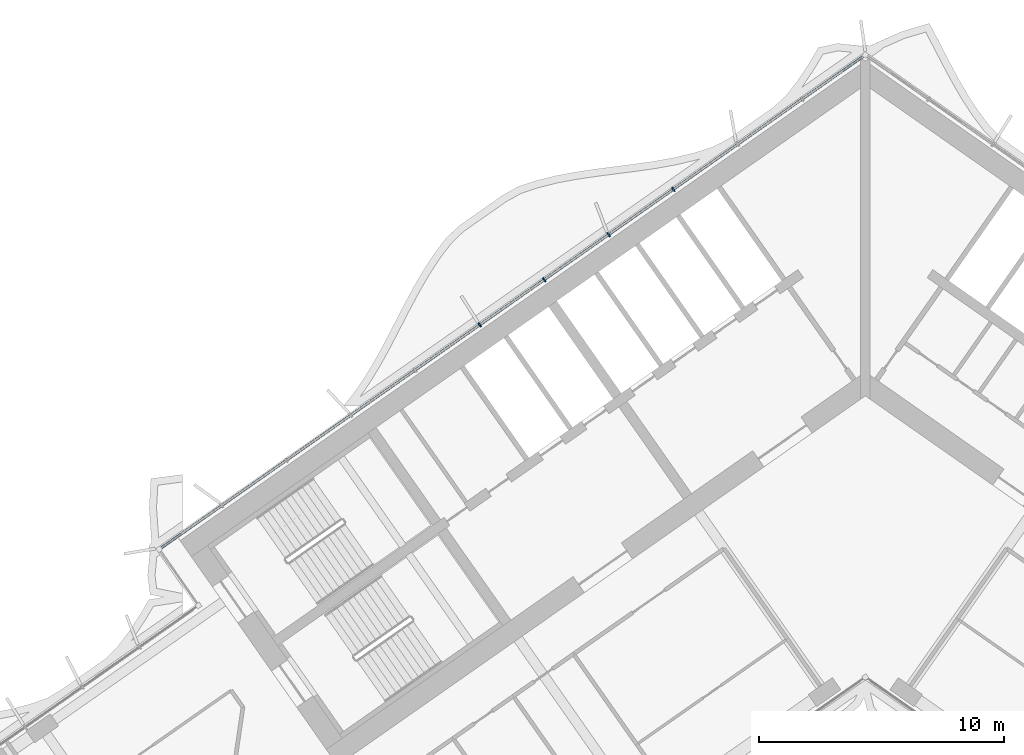
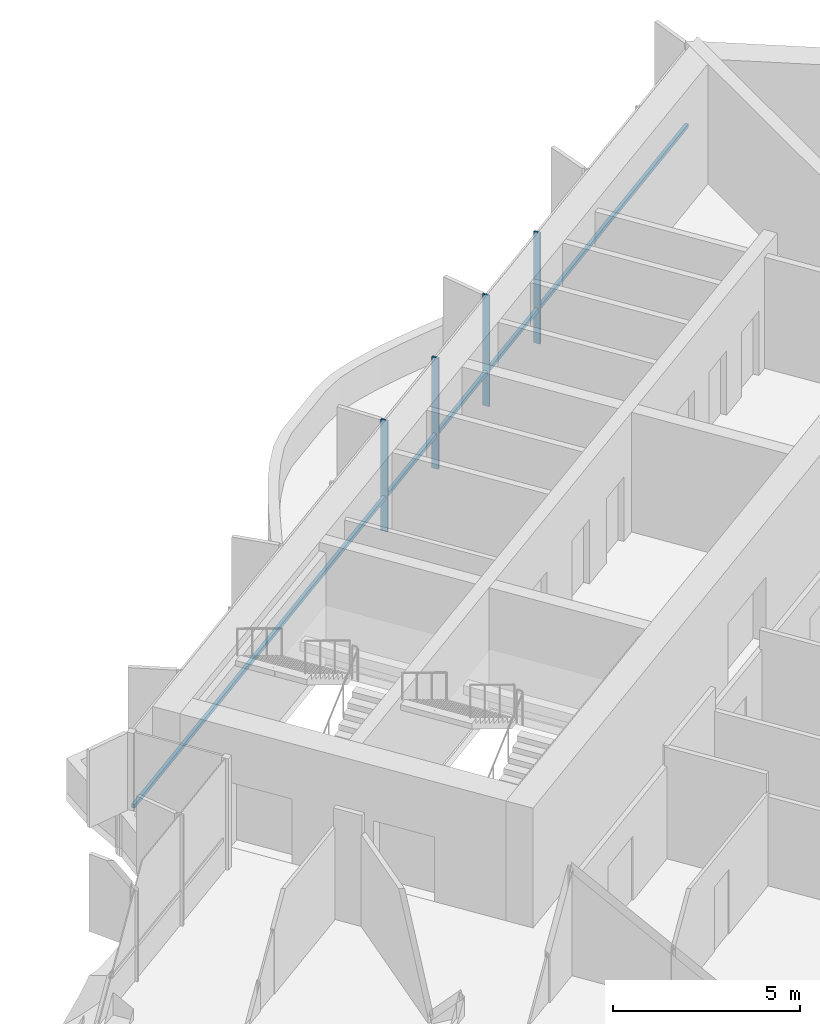
# One storey, part 8 of 23: 5 members, 1 element without a shape of its own.
"""IFC4 building model written with IfcOpenShell, lengths in metres."""

import ifcopenshell
import ifcopenshell.guid

model = None  # the IFC model being written
_history = None  # IfcOwnerHistory: only IFC2X3 demands one
_inside = {}  # id of a spatial element -> (the spatial element, [elements in it])
_under = {}  # id of a project, library or spatial element -> (it, [spatial elements below it])
_declared = {}  # id of a project -> (the project, [libraries it declares])
_typed = {}  # id of a type object -> (the type object, [elements of that type])
_made_of = {}  # id of a material, layer set ... -> (it, [elements and type objects made of it])


def new_model(schema):
    """Start an empty IFC model of exactly this schema.

    Asked for "IFC4X3", IfcOpenShell would pick the latest addendum, in which some entities
    have other attributes; the version numbers below select the first issue.
    IFC2X3 requires an IfcOwnerHistory on every rooted entity: one is made here for all.
    """
    global model, _history
    if schema == "IFC4X3":
        model = ifcopenshell.file(schema_version=(4, 3, 0, 0))
    else:
        model = ifcopenshell.file(schema=schema)
    _inside.clear()
    _under.clear()
    _declared.clear()
    _typed.clear()
    _made_of.clear()
    _history = None
    if model.schema == "IFC2X3":
        org = make("IfcOrganization", Name="unknown")
        user = make(
            "IfcPersonAndOrganization",
            ThePerson=make("IfcPerson", FamilyName="unknown"),
            TheOrganization=org,
        )
        app = make(
            "IfcApplication",
            ApplicationDeveloper=org,
            Version="unknown",
            ApplicationFullName="unknown",
            ApplicationIdentifier="unknown",
        )
        _history = make(
            "IfcOwnerHistory",
            OwningUser=user,
            OwningApplication=app,
            ChangeAction="ADDED",
            CreationDate=0,
        )
    return model


def make(cls, **values):
    """One entity of the class cls with the attributes given. An attribute that is None is left unset."""
    return model.create_entity(
        cls, **{name: value for name, value in values.items() if value is not None}
    )


def rooted(cls, **values):
    """An entity with a GlobalId (a new one), such as an element, a storey or a relation."""
    return make(cls, GlobalId=ifcopenshell.guid.new(), OwnerHistory=_history, **values)


def si_unit(unit_type, name, prefix=None):
    """IfcSIUnit, for example si_unit("LENGTHUNIT", "METRE", prefix="MILLI")."""
    return make("IfcSIUnit", UnitType=unit_type, Prefix=prefix, Name=name)


def assignment(units):
    """IfcUnitAssignment: the units of a project."""
    return None if units is None else make("IfcUnitAssignment", Units=units)


def point(xyz):
    """IfcCartesianPoint."""
    return None if xyz is None else make("IfcCartesianPoint", Coordinates=xyz)


def direction(xyz):
    """IfcDirection."""
    return None if xyz is None else make("IfcDirection", DirectionRatios=xyz)


def frame(location, z_axis=None, x_axis=None):
    """IfcAxis2Placement3D, a coordinate frame: its origin and axes. An axis left out is left unset."""
    return make(
        "IfcAxis2Placement3D",
        Location=point(location),
        Axis=direction(z_axis),
        RefDirection=direction(x_axis),
    )


def frame_2d(location, x_axis=None):
    """IfcAxis2Placement2D, a coordinate frame in the plane: its origin and x axis."""
    return make(
        "IfcAxis2Placement2D", Location=point(location), RefDirection=direction(x_axis)
    )


def origin():
    """The frame at (0, 0, 0) with its axes left unset."""
    return frame((0.0, 0.0, 0.0))


def origin_2d():
    """The frame at (0, 0) in the plane with its x axis left unset."""
    return frame_2d((0.0, 0.0))


def place(relative_to, where):
    """IfcLocalPlacement: puts the frame where relative to a parent placement (None: the world)."""
    return make(
        "IfcLocalPlacement", PlacementRelTo=relative_to, RelativePlacement=where
    )


def context(
    kind, dimensions, precision=None, world=None, true_north=None, identifier=None
):
    """IfcGeometricRepresentationContext, for example the 3D "Model" context."""
    return make(
        "IfcGeometricRepresentationContext",
        ContextIdentifier=identifier,
        ContextType=kind,
        CoordinateSpaceDimension=dimensions,
        Precision=precision,
        WorldCoordinateSystem=world,
        TrueNorth=true_north,
    )


def subcontext(parent, identifier, kind, view, scale=None):
    """IfcGeometricRepresentationSubContext, for example "Body" below "Model"."""
    return make(
        "IfcGeometricRepresentationSubContext",
        ContextIdentifier=identifier,
        ContextType=kind,
        ParentContext=parent,
        TargetScale=scale,
        TargetView=view,
    )


def project(units=None, contexts=None):
    """IfcProject with its units and contexts."""
    return rooted(
        "IfcProject",
        Name="project",
        RepresentationContexts=contexts,
        UnitsInContext=assignment(units),
    )


def spatial(cls, under=None, at=None, **own):
    """A site, building, storey or space (cls), placed at a placement, below another one or the project."""
    s = rooted(cls, ObjectPlacement=at, **own)
    if under is not None:
        _under.setdefault(under.id(), (under, []))[1].append(s)
    return s


def profile(cls, at=None, kind="AREA", **sizes):
    """A parametric profile (cls). Its sizes go by their IFC names, for example OverallWidth=200.0."""
    return make(cls, ProfileType=kind, Position=at, **sizes)


def rectangle(**sizes):
    """IfcRectangleProfileDef."""
    return profile("IfcRectangleProfileDef", **sizes)


def extrude(swept, where, along, depth):
    """IfcExtrudedAreaSolid: the profile swept, set in the frame where, extruded along a direction by depth."""
    return make(
        "IfcExtrudedAreaSolid",
        SweptArea=swept,
        Position=where,
        ExtrudedDirection=direction(along),
        Depth=depth,
    )


def shape(context_of_items, identifier, shape_type, items):
    """IfcShapeRepresentation: the items that make up one representation, for example the "Body"."""
    return make(
        "IfcShapeRepresentation",
        ContextOfItems=context_of_items,
        RepresentationIdentifier=identifier,
        RepresentationType=shape_type,
        Items=items,
    )


def material(Name=None, Category=None):
    """IfcMaterial."""
    return make("IfcMaterial", Name=Name, Category=Category)


def material_profile(
    of_material, cross_section, Name=None, Category=None, Priority=None
):
    """IfcMaterialProfile: a cross section and its material."""
    return make(
        "IfcMaterialProfile",
        Name=Name,
        Material=of_material,
        Profile=cross_section,
        Priority=Priority,
        Category=Category,
    )


def profile_set(profiles, Name=None, composite=None):
    """IfcMaterialProfileSet."""
    return make(
        "IfcMaterialProfileSet",
        Name=Name,
        MaterialProfiles=profiles,
        CompositeProfile=composite,
    )


def made_of(thing, what):
    """Note that an element or type object is made of a material, layer set ...; save() writes the relation."""
    if what is not None:
        _made_of.setdefault(what.id(), (what, []))[1].append(thing)
    return thing


def type_object(cls, material=None, **own):
    """A type object (cls), such as IfcWallType, which elements share."""
    return made_of(rooted(cls, **own), material)


def element(
    cls,
    number,
    at=None,
    inside=None,
    cuts=None,
    type_object=None,
    material=None,
    context=None,
    identifier="Body",
    shape_type=None,
    held_by="IfcProductDefinitionShape",
    body=None,
    shapes=None,
    **own,
):
    """One element of the class cls, such as IfcWall. Its Tag is "e" and its number.

    at: its placement. inside: the storey or other place that contains it. cuts: it is an
    opening in that element (IfcRelVoidsElement). A single representation is given by context,
    identifier, shape_type and body (its items); several are given by shapes. held_by: the class
    of the entity that holds the representations. save() writes the other relations.
    """
    e = rooted(cls, Tag="e%d" % number, ObjectPlacement=at, **own)
    if body is not None:
        shapes = [shape(context, identifier, shape_type, body)]
    if shapes is not None:
        e.Representation = make(held_by, Representations=shapes)
    if inside is not None:
        _inside.setdefault(inside.id(), (inside, []))[1].append(e)
    if cuts is not None:
        rooted(
            "IfcRelVoidsElement", RelatingBuildingElement=cuts, RelatedOpeningElement=e
        )
    if type_object is not None:
        _typed.setdefault(type_object.id(), (type_object, []))[1].append(e)
    return made_of(e, material)


def aggregate(whole, parts):
    """IfcRelAggregates: a whole, such as a stair, and the parts it consists of."""
    return rooted("IfcRelAggregates", RelatingObject=whole, RelatedObjects=parts)


def save(model, path):
    """Write the relations noted so far, then the file.

    IfcRelAggregates (storeys below a building ...), IfcRelContainedInSpatialStructure (elements
    in a storey), IfcRelDefinesByType, IfcRelAssociatesMaterial and IfcRelDeclares: one each for
    every whole, place, type object, material and project.
    """
    for whole, parts in _under.values():
        aggregate(whole, parts)
    for where, things in _inside.values():
        rooted(
            "IfcRelContainedInSpatialStructure",
            RelatedElements=things,
            RelatingStructure=where,
        )
    for kind, things in _typed.values():
        rooted("IfcRelDefinesByType", RelatedObjects=things, RelatingType=kind)
    for what, things in _made_of.values():
        rooted("IfcRelAssociatesMaterial", RelatedObjects=things, RelatingMaterial=what)
    for by, libraries in _declared.values():
        rooted("IfcRelDeclares", RelatingContext=by, RelatedDefinitions=libraries)
    model.write(path)


model = new_model("IFC4")

# Units and contexts
model_context = context("Model", 3, precision=1e-05, world=origin(), true_north=direction((0.0, 1.0)))
body_context = subcontext(model_context, "Body", "Model", "MODEL_VIEW")
ifc_project = project(units=[si_unit("LENGTHUNIT", "METRE"), si_unit("AREAUNIT", "SQUARE_METRE"), si_unit("VOLUMEUNIT", "CUBIC_METRE"), si_unit("PLANEANGLEUNIT", "RADIAN"), si_unit("MASSUNIT", "GRAM", prefix="KILO")], contexts=[model_context])

# Site, building, storey
site_placement = place(None, origin())
site = spatial("IfcSite", under=ifc_project, at=site_placement, CompositionType="ELEMENT")
building_placement = place(site_placement, origin())
building = spatial("IfcBuilding", under=site, at=building_placement, Name="Tel Ilan Convention Tower", CompositionType="ELEMENT")
storey_placement = place(building_placement, frame((0.0, 0.0, 194.39990234375)))
storey = spatial("IfcBuildingStorey", under=building, at=storey_placement, Name="L45", CompositionType="ELEMENT", Elevation=194.39990234375)

# Curtain wall, members
ifc_material_1 = material(Name="Aluminium, bronze anodised", Category="aluminium")
curtain_wall_type = type_object("IfcCurtainWallType", Name="CW2 STICK CURTAIN WALL, SPANDREL PANELS", PredefinedType="NOTDEFINED", material=ifc_material_1)
curtain_wall_placement = place(storey_placement, origin())
curtain_wall = element("IfcCurtainWall", 1, at=curtain_wall_placement, inside=storey, type_object=curtain_wall_type, Name="Curtain wall CW2-35.01", PredefinedType="NOTDEFINED")
ifc_material_2 = material(Name="Aluminium, bronze anodised", Category="aluminium")
ifc_material_profile_1 = material_profile(ifc_material_2, rectangle(XDim=0.06005859375, YDim=0.199951171875, at=origin_2d()), Name="CW MULLION 60x200")
ifc_profile_set_1 = profile_set([ifc_material_profile_1], Name="Aluminium, bronze anodised")
member_type_1 = type_object("IfcMemberType", Name="CW MULLION 60x200", PredefinedType="MULLION", material=ifc_profile_set_1)
member_1_placement = place(storey_placement, frame((-7.840576171875, 7.2060546875, 0.0), z_axis=(0.0, 0.0, 1.0), x_axis=(-0.819152044289, -0.573576436351, 0.0)))
member_1 = element("IfcMember", 2, at=member_1_placement, type_object=member_type_1, Name="Mullion", PredefinedType="MULLION", context=body_context, shape_type="SweptSolid", body=[
    extrude(rectangle(XDim=0.06005859375, YDim=0.199951171875, at=origin_2d()), origin(), (0.0, 0.0, 1.0), 3.6201171875),
])
member_2_placement = place(storey_placement, frame((-10.47314453125, 5.36279296875, 0.0), z_axis=(0.0, 0.0, 1.0), x_axis=(-0.819152044289, -0.573576436351, 0.0)))
member_2 = element("IfcMember", 3, at=member_2_placement, type_object=member_type_1, Name="Mullion", PredefinedType="MULLION", context=body_context, shape_type="SweptSolid", body=[
    extrude(rectangle(XDim=0.06005859375, YDim=0.199951171875, at=origin_2d()), origin(), (0.0, 0.0, 1.0), 3.6201171875),
])
member_3_placement = place(storey_placement, frame((-13.105712890625, 3.519287109375, 0.0), z_axis=(0.0, 0.0, 1.0), x_axis=(-0.819152044289, -0.573576436351, 0.0)))
member_3 = element("IfcMember", 4, at=member_3_placement, type_object=member_type_1, Name="Mullion", PredefinedType="MULLION", context=body_context, shape_type="SweptSolid", body=[
    extrude(rectangle(XDim=0.06005859375, YDim=0.199951171875, at=origin_2d()), origin(), (0.0, 0.0, 1.0), 3.6201171875),
])
member_4_placement = place(storey_placement, frame((-15.73828125, 1.676025390625, 0.0), z_axis=(0.0, 0.0, 1.0), x_axis=(-0.819152044289, -0.573576436351, 0.0)))
member_4 = element("IfcMember", 5, at=member_4_placement, type_object=member_type_1, Name="Mullion", PredefinedType="MULLION", context=body_context, shape_type="SweptSolid", body=[
    extrude(rectangle(XDim=0.06005859375, YDim=0.199951171875, at=origin_2d()), origin(), (0.0, 0.0, 1.0), 3.6201171875),
])
ifc_material_3 = material(Name="Aluminium, bronze anodised", Category="aluminium")
ifc_material_profile_2 = material_profile(ifc_material_3, rectangle(XDim=0.10009765625, YDim=0.1201171875, at=origin_2d()), Name="CW TRANSOM 100x120")
ifc_profile_set_2 = profile_set([ifc_material_profile_2], Name="Aluminium, bronze anodised")
member_type_2 = type_object("IfcMemberType", Name="CW TRANSOM 100x120", PredefinedType="USERDEFINED", material=ifc_profile_set_2)
member_5_placement = place(storey_placement, frame((-0.1064453125, 12.62158203125, 1.10009765625), z_axis=(-0.819150201937, -0.573579067494, 0.0), x_axis=(0.573579067494, -0.819150201937, 0.0)))
member_5 = element("IfcMember", 6, at=member_5_placement, type_object=member_type_2, Name="Transom", ObjectType="TRANSOM", PredefinedType="USERDEFINED", context=body_context, shape_type="SweptSolid", body=[
    extrude(rectangle(XDim=0.10009765625, YDim=0.1201171875, at=origin_2d()), origin(), (0.0, 0.0, 1.0), 34.9521484375),
])
aggregate(curtain_wall, [member_1, member_2, member_3, member_4, member_5])

save(model, "model.ifc")
